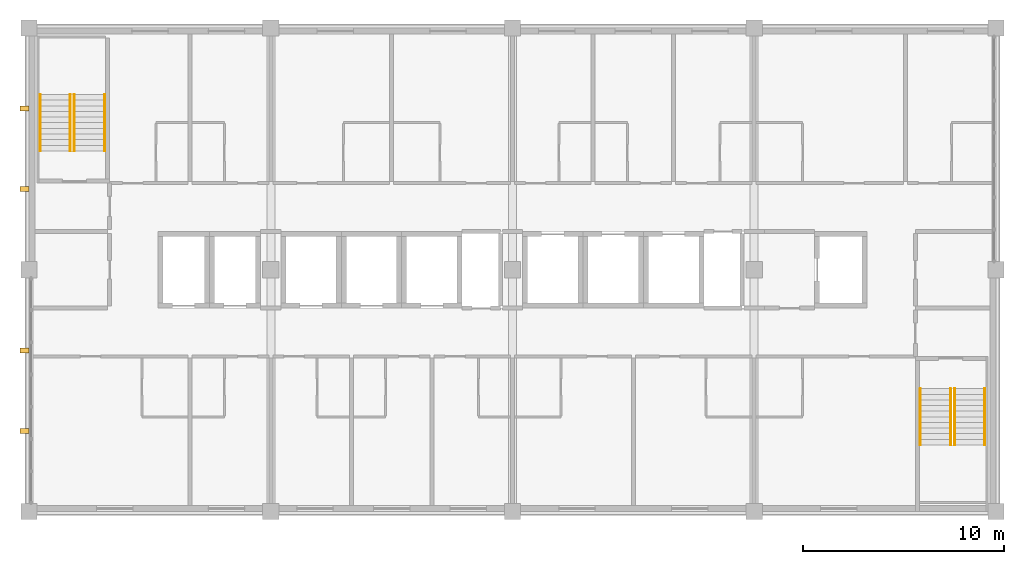
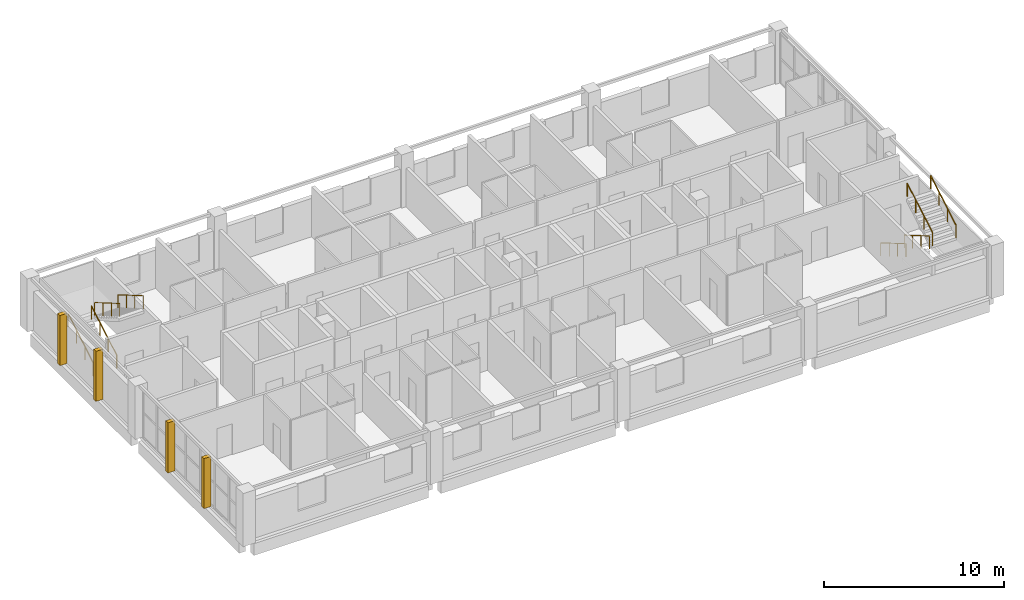
# One storey, part 11 of 11: 8 railings, 4 coverings.
"""IFC4 building model written with IfcOpenShell, lengths in metres."""

from ifc_helpers import new_model, si_unit, direction, frame, frame_2d, origin, origin_2d, place, context, subcontext, project, spatial, rectangle, circle, extrude, material, layer, layer_set, type_object, element, save


model = new_model("IFC4")

# Units and contexts
model_context = context("Model", 3, precision=1e-05, world=origin(), true_north=direction((0.0, 1.0)))
body_context = subcontext(model_context, "Body", "Model", "MODEL_VIEW")
ifc_project = project(units=[si_unit("LENGTHUNIT", "METRE"), si_unit("AREAUNIT", "SQUARE_METRE"), si_unit("VOLUMEUNIT", "CUBIC_METRE"), si_unit("PLANEANGLEUNIT", "RADIAN"), si_unit("MASSUNIT", "GRAM", prefix="KILO")], contexts=[model_context])

# Site, building, storey
site_placement = place(None, origin())
site = spatial("IfcSite", under=ifc_project, at=site_placement, CompositionType="ELEMENT")
building_placement = place(site_placement, origin())
building = spatial("IfcBuilding", under=site, at=building_placement, Name="Lilac Gate Convention Centre", CompositionType="ELEMENT")
storey_placement = place(building_placement, frame((0.0, 0.0, 46.199951171875)))
storey = spatial("IfcBuildingStorey", under=building, at=storey_placement, Name="L11", CompositionType="ELEMENT", Elevation=46.199951171875)

# Coverings
ifc_material_1 = material(Name="Concrete C40 precast", Category="concrete")
ifc_layer_1 = layer(ifc_material_1, 0.22998046875)
ifc_material_2 = material(Name="Terracotta glazed cladding", Category="masonry")
ifc_layer_2 = layer(ifc_material_2, 0.02001953125)
ifc_layer_set = layer_set([ifc_layer_1, ifc_layer_2], Name="Concrete C40 precast, Terracotta glazed cladding")
covering_type = type_object("IfcCoveringType", Name="Precast fin 250 x 450", PredefinedType="CLADDING", material=ifc_layer_set)
for number, where, z_axis, x_axis, name in (
    (1, (41.550048828125, 226.0, 0.0), (0.0, 0.0, 1.0), (1.0, 0.0, 0.0), "Precast fin west L11 226"),
    (2, (41.550048828125, 230.0, 0.0), (0.0, 0.0, 1.0), (1.0, 0.0, 0.0), "Precast fin west L11 230"),
    (3, (41.550048828125, 238.0, 0.0), (0.0, 0.0, 1.0), (1.0, 0.0, 0.0), "Precast fin west L11 238"),
    (4, (41.550048828125, 242.0, 0.0), (0.0, 0.0, 1.0), (1.0, 0.0, 0.0), "Precast fin west L11 242"),
):
    element("IfcCovering", number, at=place(storey_placement, frame(where, z_axis=z_axis, x_axis=x_axis)), inside=storey, type_object=covering_type, Name=name, PredefinedType="CLADDING", context=body_context, shape_type="SweptSolid", body=[
        extrude(rectangle(XDim=0.449951171875, YDim=0.25, at=frame_2d((0.22509765625, 0.0))), origin(), (0.0, 0.0, 1.0), 3.400146484375),
    ])

# Railings
ifc_material_3 = material(Name="Stainless steel 304", Category="steel")
railing_type = type_object("IfcRailingType", Name="Stair handrail", PredefinedType="HANDRAIL", material=ifc_material_3)
for number, where, name in (
    (5, (42.550048828125, 239.89990234375, 0.16357421875), "Handrail NW L11 flight 1"),
    (6, (44.050048828125, 239.89990234375, 0.16357421875), "Handrail NW L11 flight 1"),
):
    element("IfcRailing", number, at=place(storey_placement, frame(where)), inside=storey, type_object=railing_type, Name=name, PredefinedType="HANDRAIL", context=body_context, shape_type="SweptSolid", body=[
        extrude(circle(Radius=0.02392578125, at=origin_2d()), frame((0.0, 0.0, 0.8759765625), z_axis=(0.0, 0.863360870873, 0.504586966384), x_axis=(-1.0, 0.0, 0.0)), (0.0, 0.0, 1.0), 3.2431640625),
        extrude(circle(Radius=0.02099609375, at=origin_2d()), origin(), (0.0, 0.0, 1.0), 0.851806640625),
        extrude(circle(Radius=0.02099609375, at=origin_2d()), frame((0.0, 0.933349609375, 0.54541015625)), (0.0, 0.0, 1.0), 0.851806640625),
        extrude(circle(Radius=0.02099609375, at=origin_2d()), frame((0.0, 1.86669921875, 1.091064453125)), (0.0, 0.0, 1.0), 0.851806640625),
        extrude(circle(Radius=0.02099609375, at=origin_2d()), frame((0.0, 2.800048828125, 1.636474609375)), (0.0, 0.0, 1.0), 0.851806640625),
    ])
for number, where, name in (
    (7, (45.75, 242.699951171875, 1.963623046875), "Handrail NW L11 flight 2"),
    (8, (44.25, 242.699951171875, 1.963623046875), "Handrail NW L11 flight 2"),
    (9, (87.75, 228.10009765625, 0.16357421875), "Handrail SE L11 flight 1"),
    (10, (86.25, 228.10009765625, 0.16357421875), "Handrail SE L11 flight 1"),
):
    element("IfcRailing", number, at=place(storey_placement, frame(where)), inside=storey, type_object=railing_type, Name=name, PredefinedType="HANDRAIL", context=body_context, shape_type="SweptSolid", body=[
        extrude(circle(Radius=0.02392578125, at=origin_2d()), frame((0.0, 0.0, 0.8759765625), z_axis=(0.0, -0.863360870873, 0.504586966384), x_axis=(1.0, 0.0, 0.0)), (0.0, 0.0, 1.0), 3.2431640625),
        extrude(circle(Radius=0.02099609375, at=origin_2d()), origin(), (0.0, 0.0, 1.0), 0.851806640625),
        extrude(circle(Radius=0.02099609375, at=origin_2d()), frame((0.0, -0.933349609375, 0.54541015625)), (0.0, 0.0, 1.0), 0.851806640625),
        extrude(circle(Radius=0.02099609375, at=origin_2d()), frame((0.0, -1.86669921875, 1.091064453125)), (0.0, 0.0, 1.0), 0.851806640625),
        extrude(circle(Radius=0.02099609375, at=origin_2d()), frame((0.0, -2.800048828125, 1.636474609375)), (0.0, 0.0, 1.0), 0.851806640625),
    ])
for number, where, name in (
    (11, (87.949951171875, 225.300048828125, 1.963623046875), "Handrail SE L11 flight 2"),
    (12, (89.449951171875, 225.300048828125, 1.963623046875), "Handrail SE L11 flight 2"),
):
    element("IfcRailing", number, at=place(storey_placement, frame(where)), inside=storey, type_object=railing_type, Name=name, PredefinedType="HANDRAIL", context=body_context, shape_type="SweptSolid", body=[
        extrude(circle(Radius=0.02392578125, at=origin_2d()), frame((0.0, 0.0, 0.8759765625), z_axis=(0.0, 0.863360870873, 0.504586966384), x_axis=(-1.0, 0.0, 0.0)), (0.0, 0.0, 1.0), 3.2431640625),
        extrude(circle(Radius=0.02099609375, at=origin_2d()), origin(), (0.0, 0.0, 1.0), 0.851806640625),
        extrude(circle(Radius=0.02099609375, at=origin_2d()), frame((0.0, 0.933349609375, 0.54541015625)), (0.0, 0.0, 1.0), 0.851806640625),
        extrude(circle(Radius=0.02099609375, at=origin_2d()), frame((0.0, 1.86669921875, 1.091064453125)), (0.0, 0.0, 1.0), 0.851806640625),
        extrude(circle(Radius=0.02099609375, at=origin_2d()), frame((0.0, 2.800048828125, 1.636474609375)), (0.0, 0.0, 1.0), 0.851806640625),
    ])

save(model, "model.ifc")
